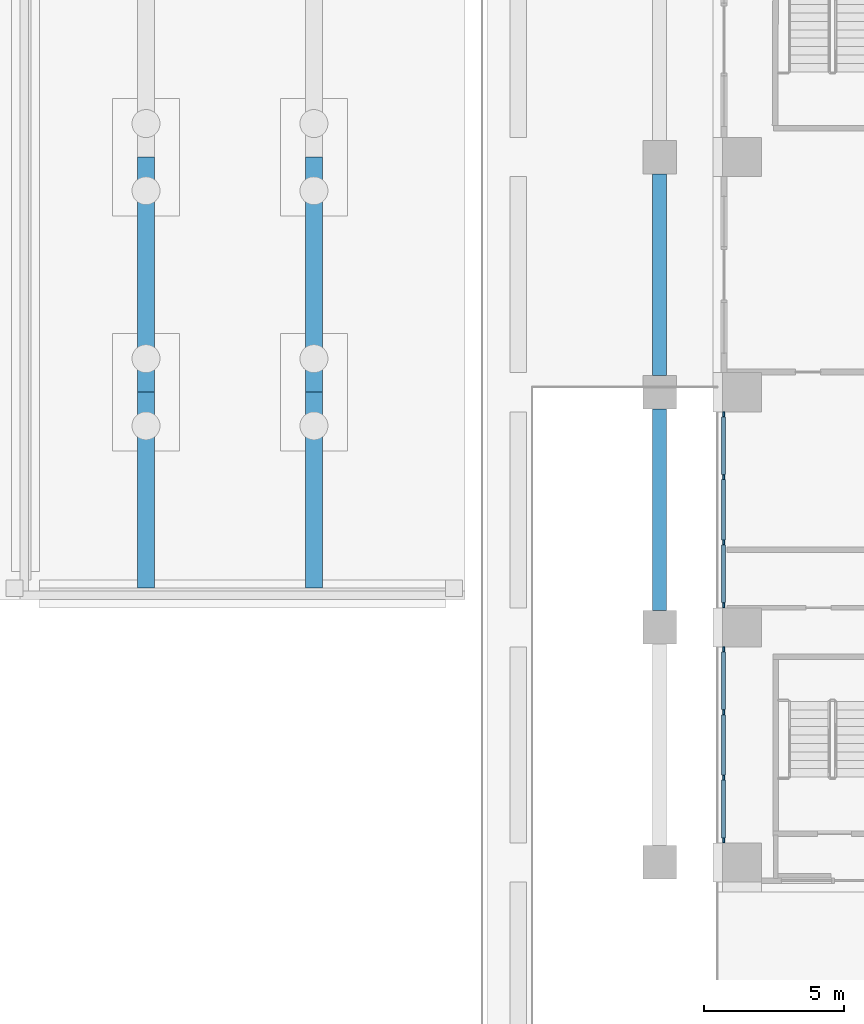
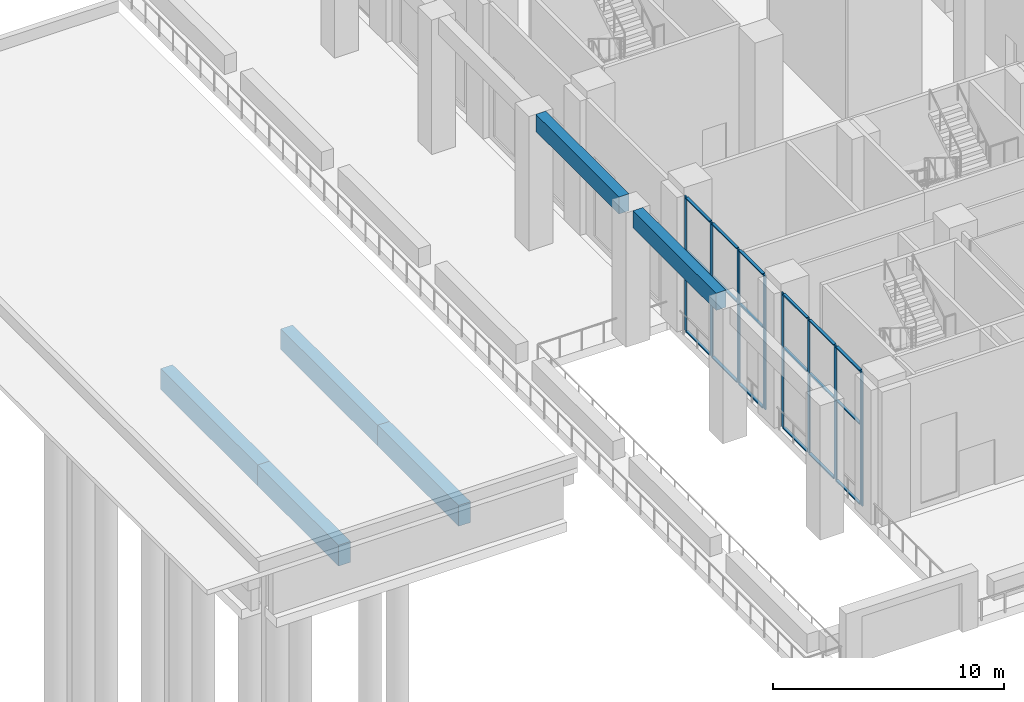
# One storey, part 4 of 53: 26 members, 6 beams, 2 elements without a shape of their own.
"""IFC4 building model written with IfcOpenShell, lengths in metres."""

import ifcopenshell
import ifcopenshell.guid

model = None  # the IFC model being written
_history = None  # IfcOwnerHistory: only IFC2X3 demands one
_inside = {}  # id of a spatial element -> (the spatial element, [elements in it])
_under = {}  # id of a project, library or spatial element -> (it, [spatial elements below it])
_declared = {}  # id of a project -> (the project, [libraries it declares])
_typed = {}  # id of a type object -> (the type object, [elements of that type])
_made_of = {}  # id of a material, layer set ... -> (it, [elements and type objects made of it])


def new_model(schema):
    """Start an empty IFC model of exactly this schema.

    Asked for "IFC4X3", IfcOpenShell would pick the latest addendum, in which some entities
    have other attributes; the version numbers below select the first issue.
    IFC2X3 requires an IfcOwnerHistory on every rooted entity: one is made here for all.
    """
    global model, _history
    if schema == "IFC4X3":
        model = ifcopenshell.file(schema_version=(4, 3, 0, 0))
    else:
        model = ifcopenshell.file(schema=schema)
    _inside.clear()
    _under.clear()
    _declared.clear()
    _typed.clear()
    _made_of.clear()
    _history = None
    if model.schema == "IFC2X3":
        org = make("IfcOrganization", Name="unknown")
        user = make(
            "IfcPersonAndOrganization",
            ThePerson=make("IfcPerson", FamilyName="unknown"),
            TheOrganization=org,
        )
        app = make(
            "IfcApplication",
            ApplicationDeveloper=org,
            Version="unknown",
            ApplicationFullName="unknown",
            ApplicationIdentifier="unknown",
        )
        _history = make(
            "IfcOwnerHistory",
            OwningUser=user,
            OwningApplication=app,
            ChangeAction="ADDED",
            CreationDate=0,
        )
    return model


def make(cls, **values):
    """One entity of the class cls with the attributes given. An attribute that is None is left unset."""
    return model.create_entity(
        cls, **{name: value for name, value in values.items() if value is not None}
    )


def rooted(cls, **values):
    """An entity with a GlobalId (a new one), such as an element, a storey or a relation."""
    return make(cls, GlobalId=ifcopenshell.guid.new(), OwnerHistory=_history, **values)


def si_unit(unit_type, name, prefix=None):
    """IfcSIUnit, for example si_unit("LENGTHUNIT", "METRE", prefix="MILLI")."""
    return make("IfcSIUnit", UnitType=unit_type, Prefix=prefix, Name=name)


def assignment(units):
    """IfcUnitAssignment: the units of a project."""
    return None if units is None else make("IfcUnitAssignment", Units=units)


def point(xyz):
    """IfcCartesianPoint."""
    return None if xyz is None else make("IfcCartesianPoint", Coordinates=xyz)


def direction(xyz):
    """IfcDirection."""
    return None if xyz is None else make("IfcDirection", DirectionRatios=xyz)


def frame(location, z_axis=None, x_axis=None):
    """IfcAxis2Placement3D, a coordinate frame: its origin and axes. An axis left out is left unset."""
    return make(
        "IfcAxis2Placement3D",
        Location=point(location),
        Axis=direction(z_axis),
        RefDirection=direction(x_axis),
    )


def frame_2d(location, x_axis=None):
    """IfcAxis2Placement2D, a coordinate frame in the plane: its origin and x axis."""
    return make(
        "IfcAxis2Placement2D", Location=point(location), RefDirection=direction(x_axis)
    )


def origin():
    """The frame at (0, 0, 0) with its axes left unset."""
    return frame((0.0, 0.0, 0.0))


def origin_2d():
    """The frame at (0, 0) in the plane with its x axis left unset."""
    return frame_2d((0.0, 0.0))


def place(relative_to, where):
    """IfcLocalPlacement: puts the frame where relative to a parent placement (None: the world)."""
    return make(
        "IfcLocalPlacement", PlacementRelTo=relative_to, RelativePlacement=where
    )


def context(
    kind, dimensions, precision=None, world=None, true_north=None, identifier=None
):
    """IfcGeometricRepresentationContext, for example the 3D "Model" context."""
    return make(
        "IfcGeometricRepresentationContext",
        ContextIdentifier=identifier,
        ContextType=kind,
        CoordinateSpaceDimension=dimensions,
        Precision=precision,
        WorldCoordinateSystem=world,
        TrueNorth=true_north,
    )


def subcontext(parent, identifier, kind, view, scale=None):
    """IfcGeometricRepresentationSubContext, for example "Body" below "Model"."""
    return make(
        "IfcGeometricRepresentationSubContext",
        ContextIdentifier=identifier,
        ContextType=kind,
        ParentContext=parent,
        TargetScale=scale,
        TargetView=view,
    )


def project(units=None, contexts=None):
    """IfcProject with its units and contexts."""
    return rooted(
        "IfcProject",
        Name="project",
        RepresentationContexts=contexts,
        UnitsInContext=assignment(units),
    )


def spatial(cls, under=None, at=None, **own):
    """A site, building, storey or space (cls), placed at a placement, below another one or the project."""
    s = rooted(cls, ObjectPlacement=at, **own)
    if under is not None:
        _under.setdefault(under.id(), (under, []))[1].append(s)
    return s


def profile(cls, at=None, kind="AREA", **sizes):
    """A parametric profile (cls). Its sizes go by their IFC names, for example OverallWidth=200.0."""
    return make(cls, ProfileType=kind, Position=at, **sizes)


def rectangle(**sizes):
    """IfcRectangleProfileDef."""
    return profile("IfcRectangleProfileDef", **sizes)


def extrude(swept, where, along, depth):
    """IfcExtrudedAreaSolid: the profile swept, set in the frame where, extruded along a direction by depth."""
    return make(
        "IfcExtrudedAreaSolid",
        SweptArea=swept,
        Position=where,
        ExtrudedDirection=direction(along),
        Depth=depth,
    )


def shape(context_of_items, identifier, shape_type, items):
    """IfcShapeRepresentation: the items that make up one representation, for example the "Body"."""
    return make(
        "IfcShapeRepresentation",
        ContextOfItems=context_of_items,
        RepresentationIdentifier=identifier,
        RepresentationType=shape_type,
        Items=items,
    )


def material(Name=None, Category=None):
    """IfcMaterial."""
    return make("IfcMaterial", Name=Name, Category=Category)


def material_profile(
    of_material, cross_section, Name=None, Category=None, Priority=None
):
    """IfcMaterialProfile: a cross section and its material."""
    return make(
        "IfcMaterialProfile",
        Name=Name,
        Material=of_material,
        Profile=cross_section,
        Priority=Priority,
        Category=Category,
    )


def profile_set(profiles, Name=None, composite=None):
    """IfcMaterialProfileSet."""
    return make(
        "IfcMaterialProfileSet",
        Name=Name,
        MaterialProfiles=profiles,
        CompositeProfile=composite,
    )


def made_of(thing, what):
    """Note that an element or type object is made of a material, layer set ...; save() writes the relation."""
    if what is not None:
        _made_of.setdefault(what.id(), (what, []))[1].append(thing)
    return thing


def type_object(cls, material=None, **own):
    """A type object (cls), such as IfcWallType, which elements share."""
    return made_of(rooted(cls, **own), material)


def element(
    cls,
    number,
    at=None,
    inside=None,
    cuts=None,
    type_object=None,
    material=None,
    context=None,
    identifier="Body",
    shape_type=None,
    held_by="IfcProductDefinitionShape",
    body=None,
    shapes=None,
    **own,
):
    """One element of the class cls, such as IfcWall. Its Tag is "e" and its number.

    at: its placement. inside: the storey or other place that contains it. cuts: it is an
    opening in that element (IfcRelVoidsElement). A single representation is given by context,
    identifier, shape_type and body (its items); several are given by shapes. held_by: the class
    of the entity that holds the representations. save() writes the other relations.
    """
    e = rooted(cls, Tag="e%d" % number, ObjectPlacement=at, **own)
    if body is not None:
        shapes = [shape(context, identifier, shape_type, body)]
    if shapes is not None:
        e.Representation = make(held_by, Representations=shapes)
    if inside is not None:
        _inside.setdefault(inside.id(), (inside, []))[1].append(e)
    if cuts is not None:
        rooted(
            "IfcRelVoidsElement", RelatingBuildingElement=cuts, RelatedOpeningElement=e
        )
    if type_object is not None:
        _typed.setdefault(type_object.id(), (type_object, []))[1].append(e)
    return made_of(e, material)


def aggregate(whole, parts):
    """IfcRelAggregates: a whole, such as a stair, and the parts it consists of."""
    return rooted("IfcRelAggregates", RelatingObject=whole, RelatedObjects=parts)


def save(model, path):
    """Write the relations noted so far, then the file.

    IfcRelAggregates (storeys below a building ...), IfcRelContainedInSpatialStructure (elements
    in a storey), IfcRelDefinesByType, IfcRelAssociatesMaterial and IfcRelDeclares: one each for
    every whole, place, type object, material and project.
    """
    for whole, parts in _under.values():
        aggregate(whole, parts)
    for where, things in _inside.values():
        rooted(
            "IfcRelContainedInSpatialStructure",
            RelatedElements=things,
            RelatingStructure=where,
        )
    for kind, things in _typed.values():
        rooted("IfcRelDefinesByType", RelatedObjects=things, RelatingType=kind)
    for what, things in _made_of.values():
        rooted("IfcRelAssociatesMaterial", RelatedObjects=things, RelatingMaterial=what)
    for by, libraries in _declared.values():
        rooted("IfcRelDeclares", RelatingContext=by, RelatedDefinitions=libraries)
    model.write(path)


model = new_model("IFC4")

# Units and contexts
model_context = context("Model", 3, precision=1e-05, world=origin(), true_north=direction((0.0, 1.0)))
body_context = subcontext(model_context, "Body", "Model", "MODEL_VIEW")
ifc_project = project(units=[si_unit("LENGTHUNIT", "METRE"), si_unit("AREAUNIT", "SQUARE_METRE"), si_unit("VOLUMEUNIT", "CUBIC_METRE"), si_unit("PLANEANGLEUNIT", "RADIAN"), si_unit("MASSUNIT", "GRAM", prefix="KILO")], contexts=[model_context])

# Site, building, storey
site_placement = place(None, origin())
site = spatial("IfcSite", under=ifc_project, at=site_placement, CompositionType="ELEMENT")
building_placement = place(site_placement, origin())
building = spatial("IfcBuilding", under=site, at=building_placement, Name="Vermilion Ogive Tower", CompositionType="ELEMENT")
storey_placement = place(building_placement, origin())
storey = spatial("IfcBuildingStorey", under=building, at=storey_placement, Name="L00", CompositionType="ELEMENT", Elevation=0.0)

# Curtain wall, members
ifc_material_1 = material(Name="Clear double glazing in aluminium frame", Category="aluminium")
curtain_wall_type = type_object("IfcCurtainWallType", Name="Curtain wall CW1", PredefinedType="NOTDEFINED", material=ifc_material_1)
curtain_wall_1_placement = place(storey_placement, origin())
curtain_wall_1 = element("IfcCurtainWall", 1, at=curtain_wall_1_placement, inside=storey, type_object=curtain_wall_type, Name="CW1 shopfront glazing W6", PredefinedType="NOTDEFINED")
ifc_material_2 = material(Name="Aluminium mullion", Category="aluminium")
ifc_material_profile_1 = material_profile(ifc_material_2, rectangle(XDim=0.06005859375, YDim=0.179931640625, at=origin_2d()), Name="AL 60x180")
ifc_profile_set_1 = profile_set([ifc_material_profile_1], Name="Aluminium mullion")
member_type_1 = type_object("IfcMemberType", Name="CW1 mullion 60x180", PredefinedType="MULLION", material=ifc_profile_set_1)
member_1_placement = place(storey_placement, frame((-34.260009765625, -13.389892578125, 0.0), z_axis=(0.0, 0.0, 1.0), x_axis=(1.0, 0.0, 0.0)))
member_1 = element("IfcMember", 2, at=member_1_placement, type_object=member_type_1, Name="CW1-W6 mullion 1", PredefinedType="MULLION", context=body_context, shape_type="SweptSolid", body=[
    extrude(rectangle(XDim=0.06005859375, YDim=0.179931640625, at=origin_2d()), origin(), (0.0, 0.0, 1.0), 7.10009765625),
])
member_2_placement = place(storey_placement, frame((-34.260009765625, -15.63330078125, 0.0), z_axis=(0.0, 0.0, 1.0), x_axis=(1.0, 0.0, 0.0)))
member_2 = element("IfcMember", 3, at=member_2_placement, type_object=member_type_1, Name="CW1-W6 mullion 2", PredefinedType="MULLION", context=body_context, shape_type="SweptSolid", body=[
    extrude(rectangle(XDim=0.06005859375, YDim=0.179931640625, at=origin_2d()), origin(), (0.0, 0.0, 1.0), 7.10009765625),
])
member_3_placement = place(storey_placement, frame((-34.260009765625, -17.966552734375, 0.0), z_axis=(0.0, 0.0, 1.0), x_axis=(1.0, 0.0, 0.0)))
member_3 = element("IfcMember", 4, at=member_3_placement, type_object=member_type_1, Name="CW1-W6 mullion 3", PredefinedType="MULLION", context=body_context, shape_type="SweptSolid", body=[
    extrude(rectangle(XDim=0.06005859375, YDim=0.179931640625, at=origin_2d()), origin(), (0.0, 0.0, 1.0), 7.10009765625),
])
member_4_placement = place(storey_placement, frame((-34.260009765625, -20.2099609375, 0.0), z_axis=(0.0, 0.0, 1.0), x_axis=(1.0, 0.0, 0.0)))
member_4 = element("IfcMember", 5, at=member_4_placement, type_object=member_type_1, Name="CW1-W6 mullion 4", PredefinedType="MULLION", context=body_context, shape_type="SweptSolid", body=[
    extrude(rectangle(XDim=0.06005859375, YDim=0.179931640625, at=origin_2d()), origin(), (0.0, 0.0, 1.0), 7.10009765625),
])

curtain_wall_2_placement = place(storey_placement, origin())
curtain_wall_2 = element("IfcCurtainWall", 6, at=curtain_wall_2_placement, inside=storey, type_object=curtain_wall_type, Name="CW1 shopfront glazing W7", PredefinedType="NOTDEFINED")
member_5_placement = place(storey_placement, frame((-34.260009765625, -21.7900390625, 0.0), z_axis=(0.0, 0.0, 1.0), x_axis=(1.0, 0.0, 0.0)))
member_5 = element("IfcMember", 7, at=member_5_placement, type_object=member_type_1, Name="CW1-W7 mullion 1", PredefinedType="MULLION", context=body_context, shape_type="SweptSolid", body=[
    extrude(rectangle(XDim=0.06005859375, YDim=0.179931640625, at=origin_2d()), origin(), (0.0, 0.0, 1.0), 7.10009765625),
])
member_6_placement = place(storey_placement, frame((-34.260009765625, -24.033447265625, 0.0), z_axis=(0.0, 0.0, 1.0), x_axis=(1.0, 0.0, 0.0)))
member_6 = element("IfcMember", 8, at=member_6_placement, type_object=member_type_1, Name="CW1-W7 mullion 2", PredefinedType="MULLION", context=body_context, shape_type="SweptSolid", body=[
    extrude(rectangle(XDim=0.06005859375, YDim=0.179931640625, at=origin_2d()), origin(), (0.0, 0.0, 1.0), 7.10009765625),
])
member_7_placement = place(storey_placement, frame((-34.260009765625, -26.36669921875, 0.0), z_axis=(0.0, 0.0, 1.0), x_axis=(1.0, 0.0, 0.0)))
member_7 = element("IfcMember", 9, at=member_7_placement, type_object=member_type_1, Name="CW1-W7 mullion 3", PredefinedType="MULLION", context=body_context, shape_type="SweptSolid", body=[
    extrude(rectangle(XDim=0.06005859375, YDim=0.179931640625, at=origin_2d()), origin(), (0.0, 0.0, 1.0), 7.10009765625),
])
member_8_placement = place(storey_placement, frame((-34.260009765625, -28.610107421875, 0.0), z_axis=(0.0, 0.0, 1.0), x_axis=(1.0, 0.0, 0.0)))
member_8 = element("IfcMember", 10, at=member_8_placement, type_object=member_type_1, Name="CW1-W7 mullion 4", PredefinedType="MULLION", context=body_context, shape_type="SweptSolid", body=[
    extrude(rectangle(XDim=0.06005859375, YDim=0.179931640625, at=origin_2d()), origin(), (0.0, 0.0, 1.0), 7.10009765625),
])

# Member
ifc_material_3 = material(Name="Aluminium transom", Category="aluminium")
ifc_material_profile_2 = material_profile(ifc_material_3, rectangle(XDim=0.139892578125, YDim=0.06005859375, at=origin_2d()), Name="AL 60x140")
ifc_profile_set_2 = profile_set([ifc_material_profile_2], Name="Aluminium transom")
member_type_2 = type_object("IfcMemberType", Name="CW1 transom 60x140", PredefinedType="USERDEFINED", material=ifc_profile_set_2)
member_9_placement = place(storey_placement, frame((-34.260009765625, -13.47998046875, 0.030029296875), z_axis=(0.0, -1.0, 0.0), x_axis=(1.0, 0.0, 0.0)))
member_9 = element("IfcMember", 11, at=member_9_placement, type_object=member_type_2, Name="CW1-W6 transom 1.1", ObjectType="TRANSOM", PredefinedType="USERDEFINED", context=body_context, shape_type="SweptSolid", body=[
    extrude(rectangle(XDim=0.139892578125, YDim=0.06005859375, at=origin_2d()), origin(), (0.0, 0.0, 1.0), 2.063232421875),
])

member_10_placement = place(storey_placement, frame((-34.260009765625, -13.47998046875, 4.260009765625), z_axis=(0.0, -1.0, 0.0), x_axis=(1.0, 0.0, 0.0)))
member_10 = element("IfcMember", 12, at=member_10_placement, type_object=member_type_2, Name="CW1-W6 transom 1.2", ObjectType="TRANSOM", PredefinedType="USERDEFINED", context=body_context, shape_type="SweptSolid", body=[
    extrude(rectangle(XDim=0.139892578125, YDim=0.06005859375, at=origin_2d()), origin(), (0.0, 0.0, 1.0), 2.063232421875),
])

member_11_placement = place(storey_placement, frame((-34.260009765625, -13.47998046875, 7.070068359375), z_axis=(0.0, -1.0, 0.0), x_axis=(1.0, 0.0, 0.0)))
member_11 = element("IfcMember", 13, at=member_11_placement, type_object=member_type_2, Name="CW1-W6 transom 1.3", ObjectType="TRANSOM", PredefinedType="USERDEFINED", context=body_context, shape_type="SweptSolid", body=[
    extrude(rectangle(XDim=0.139892578125, YDim=0.06005859375, at=origin_2d()), origin(), (0.0, 0.0, 1.0), 2.063232421875),
])

member_12_placement = place(storey_placement, frame((-34.260009765625, -15.723388671875, 0.030029296875), z_axis=(0.0, -1.0, 0.0), x_axis=(1.0, 0.0, 0.0)))
member_12 = element("IfcMember", 14, at=member_12_placement, type_object=member_type_2, Name="CW1-W6 transom 2.1", ObjectType="TRANSOM", PredefinedType="USERDEFINED", context=body_context, shape_type="SweptSolid", body=[
    extrude(rectangle(XDim=0.139892578125, YDim=0.06005859375, at=origin_2d()), origin(), (0.0, 0.0, 1.0), 2.1533203125),
])

member_13_placement = place(storey_placement, frame((-34.260009765625, -15.723388671875, 4.260009765625), z_axis=(0.0, -1.0, 0.0), x_axis=(1.0, 0.0, 0.0)))
member_13 = element("IfcMember", 15, at=member_13_placement, type_object=member_type_2, Name="CW1-W6 transom 2.2", ObjectType="TRANSOM", PredefinedType="USERDEFINED", context=body_context, shape_type="SweptSolid", body=[
    extrude(rectangle(XDim=0.139892578125, YDim=0.06005859375, at=origin_2d()), origin(), (0.0, 0.0, 1.0), 2.1533203125),
])

member_14_placement = place(storey_placement, frame((-34.260009765625, -15.723388671875, 7.070068359375), z_axis=(0.0, -1.0, 0.0), x_axis=(1.0, 0.0, 0.0)))
member_14 = element("IfcMember", 16, at=member_14_placement, type_object=member_type_2, Name="CW1-W6 transom 2.3", ObjectType="TRANSOM", PredefinedType="USERDEFINED", context=body_context, shape_type="SweptSolid", body=[
    extrude(rectangle(XDim=0.139892578125, YDim=0.06005859375, at=origin_2d()), origin(), (0.0, 0.0, 1.0), 2.1533203125),
])

member_15_placement = place(storey_placement, frame((-34.260009765625, -18.056640625, 0.030029296875), z_axis=(0.0, -1.0, 0.0), x_axis=(1.0, 0.0, 0.0)))
member_15 = element("IfcMember", 17, at=member_15_placement, type_object=member_type_2, Name="CW1-W6 transom 3.1", ObjectType="TRANSOM", PredefinedType="USERDEFINED", context=body_context, shape_type="SweptSolid", body=[
    extrude(rectangle(XDim=0.139892578125, YDim=0.06005859375, at=origin_2d()), origin(), (0.0, 0.0, 1.0), 2.0634765625),
])

member_16_placement = place(storey_placement, frame((-34.260009765625, -18.056640625, 4.260009765625), z_axis=(0.0, -1.0, 0.0), x_axis=(1.0, 0.0, 0.0)))
member_16 = element("IfcMember", 18, at=member_16_placement, type_object=member_type_2, Name="CW1-W6 transom 3.2", ObjectType="TRANSOM", PredefinedType="USERDEFINED", context=body_context, shape_type="SweptSolid", body=[
    extrude(rectangle(XDim=0.139892578125, YDim=0.06005859375, at=origin_2d()), origin(), (0.0, 0.0, 1.0), 2.0634765625),
])

member_17_placement = place(storey_placement, frame((-34.260009765625, -18.056640625, 7.070068359375), z_axis=(0.0, -1.0, 0.0), x_axis=(1.0, 0.0, 0.0)))
member_17 = element("IfcMember", 19, at=member_17_placement, type_object=member_type_2, Name="CW1-W6 transom 3.3", ObjectType="TRANSOM", PredefinedType="USERDEFINED", context=body_context, shape_type="SweptSolid", body=[
    extrude(rectangle(XDim=0.139892578125, YDim=0.06005859375, at=origin_2d()), origin(), (0.0, 0.0, 1.0), 2.0634765625),
])

aggregate(curtain_wall_1, [member_1, member_2, member_3, member_4, member_9, member_10, member_11, member_12, member_13, member_14, member_15, member_16, member_17])

member_18_placement = place(storey_placement, frame((-34.260009765625, -21.8798828125, 0.030029296875), z_axis=(0.0, -1.0, 0.0), x_axis=(1.0, 0.0, 0.0)))
member_18 = element("IfcMember", 20, at=member_18_placement, type_object=member_type_2, Name="CW1-W7 transom 1.1", ObjectType="TRANSOM", PredefinedType="USERDEFINED", context=body_context, shape_type="SweptSolid", body=[
    extrude(rectangle(XDim=0.139892578125, YDim=0.06005859375, at=origin_2d()), origin(), (0.0, 0.0, 1.0), 2.0634765625),
])

member_19_placement = place(storey_placement, frame((-34.260009765625, -21.8798828125, 4.260009765625), z_axis=(0.0, -1.0, 0.0), x_axis=(1.0, 0.0, 0.0)))
member_19 = element("IfcMember", 21, at=member_19_placement, type_object=member_type_2, Name="CW1-W7 transom 1.2", ObjectType="TRANSOM", PredefinedType="USERDEFINED", context=body_context, shape_type="SweptSolid", body=[
    extrude(rectangle(XDim=0.139892578125, YDim=0.06005859375, at=origin_2d()), origin(), (0.0, 0.0, 1.0), 2.0634765625),
])

member_20_placement = place(storey_placement, frame((-34.260009765625, -21.8798828125, 7.070068359375), z_axis=(0.0, -1.0, 0.0), x_axis=(1.0, 0.0, 0.0)))
member_20 = element("IfcMember", 22, at=member_20_placement, type_object=member_type_2, Name="CW1-W7 transom 1.3", ObjectType="TRANSOM", PredefinedType="USERDEFINED", context=body_context, shape_type="SweptSolid", body=[
    extrude(rectangle(XDim=0.139892578125, YDim=0.06005859375, at=origin_2d()), origin(), (0.0, 0.0, 1.0), 2.0634765625),
])

member_21_placement = place(storey_placement, frame((-34.260009765625, -24.123291015625, 0.030029296875), z_axis=(0.0, -1.0, 0.0), x_axis=(1.0, 0.0, 0.0)))
member_21 = element("IfcMember", 23, at=member_21_placement, type_object=member_type_2, Name="CW1-W7 transom 2.1", ObjectType="TRANSOM", PredefinedType="USERDEFINED", context=body_context, shape_type="SweptSolid", body=[
    extrude(rectangle(XDim=0.139892578125, YDim=0.06005859375, at=origin_2d()), origin(), (0.0, 0.0, 1.0), 2.1533203125),
])

member_22_placement = place(storey_placement, frame((-34.260009765625, -24.123291015625, 4.260009765625), z_axis=(0.0, -1.0, 0.0), x_axis=(1.0, 0.0, 0.0)))
member_22 = element("IfcMember", 24, at=member_22_placement, type_object=member_type_2, Name="CW1-W7 transom 2.2", ObjectType="TRANSOM", PredefinedType="USERDEFINED", context=body_context, shape_type="SweptSolid", body=[
    extrude(rectangle(XDim=0.139892578125, YDim=0.06005859375, at=origin_2d()), origin(), (0.0, 0.0, 1.0), 2.1533203125),
])

member_23_placement = place(storey_placement, frame((-34.260009765625, -24.123291015625, 7.070068359375), z_axis=(0.0, -1.0, 0.0), x_axis=(1.0, 0.0, 0.0)))
member_23 = element("IfcMember", 25, at=member_23_placement, type_object=member_type_2, Name="CW1-W7 transom 2.3", ObjectType="TRANSOM", PredefinedType="USERDEFINED", context=body_context, shape_type="SweptSolid", body=[
    extrude(rectangle(XDim=0.139892578125, YDim=0.06005859375, at=origin_2d()), origin(), (0.0, 0.0, 1.0), 2.1533203125),
])

member_24_placement = place(storey_placement, frame((-34.260009765625, -26.456787109375, 0.030029296875), z_axis=(0.0, -1.0, 0.0), x_axis=(1.0, 0.0, 0.0)))
member_24 = element("IfcMember", 26, at=member_24_placement, type_object=member_type_2, Name="CW1-W7 transom 3.1", ObjectType="TRANSOM", PredefinedType="USERDEFINED", context=body_context, shape_type="SweptSolid", body=[
    extrude(rectangle(XDim=0.139892578125, YDim=0.06005859375, at=origin_2d()), origin(), (0.0, 0.0, 1.0), 2.063232421875),
])

member_25_placement = place(storey_placement, frame((-34.260009765625, -26.456787109375, 4.260009765625), z_axis=(0.0, -1.0, 0.0), x_axis=(1.0, 0.0, 0.0)))
member_25 = element("IfcMember", 27, at=member_25_placement, type_object=member_type_2, Name="CW1-W7 transom 3.2", ObjectType="TRANSOM", PredefinedType="USERDEFINED", context=body_context, shape_type="SweptSolid", body=[
    extrude(rectangle(XDim=0.139892578125, YDim=0.06005859375, at=origin_2d()), origin(), (0.0, 0.0, 1.0), 2.063232421875),
])

member_26_placement = place(storey_placement, frame((-34.260009765625, -26.456787109375, 7.070068359375), z_axis=(0.0, -1.0, 0.0), x_axis=(1.0, 0.0, 0.0)))
member_26 = element("IfcMember", 28, at=member_26_placement, type_object=member_type_2, Name="CW1-W7 transom 3.3", ObjectType="TRANSOM", PredefinedType="USERDEFINED", context=body_context, shape_type="SweptSolid", body=[
    extrude(rectangle(XDim=0.139892578125, YDim=0.06005859375, at=origin_2d()), origin(), (0.0, 0.0, 1.0), 2.063232421875),
])

aggregate(curtain_wall_2, [member_5, member_6, member_7, member_8, member_18, member_19, member_20, member_21, member_22, member_23, member_24, member_25, member_26])

# Beams
ifc_material_4 = material(Name="Concrete B45", Category="concrete")
ifc_material_profile_3 = material_profile(ifc_material_4, rectangle(XDim=0.5, YDim=0.89990234375, at=origin_2d()), Name="RC 500x900")
ifc_profile_set_3 = profile_set([ifc_material_profile_3], Name="Concrete B45")
beam_type_1 = type_object("IfcBeamType", Name="Canopy fascia beam CF1 500x900", PredefinedType="BEAM", material=ifc_profile_set_3)
for number, where, z_axis, x_axis, name in (
    (29, (-36.550048828125, -20.39990234375, 6.650146484375), (0.0, 1.0, 0.0), (-1.0, 0.0, 0.0), "Canopy fascia beam 02"),
    (30, (-36.550048828125, -12.0, 6.650146484375), (0.0, 1.0, 0.0), (-1.0, 0.0, 0.0), "Canopy fascia beam 03"),
):
    element("IfcBeam", number, at=place(storey_placement, frame(where, z_axis=z_axis, x_axis=x_axis)), inside=storey, type_object=beam_type_1, Name=name, PredefinedType="BEAM", context=body_context, shape_type="SweptSolid", body=[
        extrude(rectangle(XDim=0.5, YDim=0.89990234375, at=origin_2d()), origin(), (0.0, 0.0, 1.0), 7.199951171875),
    ])
ifc_material_5 = material(Name="Concrete B45", Category="concrete")
ifc_material_profile_4 = material_profile(ifc_material_5, rectangle(XDim=0.60009765625, YDim=1.10009765625, at=origin_2d()), Name="RC 600x1100")
ifc_profile_set_4 = profile_set([ifc_material_profile_4], Name="Concrete B45")
beam_type_2 = type_object("IfcBeamType", Name="Quay wharf beam QB1 600x1100", PredefinedType="BEAM", material=ifc_profile_set_4)
beam_1_placement = place(storey_placement, frame((-54.89990234375, -19.60009765625, -0.800048828125), z_axis=(0.0, 1.0, 0.0), x_axis=(-1.0, 0.0, 0.0)))
element("IfcBeam", 31, at=beam_1_placement, inside=storey, type_object=beam_type_2, Name="Quay wharf beam SITE-DROP-L0 1", PredefinedType="BEAM", context=body_context, shape_type="SweptSolid", body=[
    extrude(rectangle(XDim=0.60009765625, YDim=1.10009765625, at=origin_2d()), origin(), (0.0, 0.0, 1.0), 7.0),
])
beam_2_placement = place(storey_placement, frame((-54.89990234375, -12.60009765625, -0.800048828125), z_axis=(0.0, 1.0, 0.0), x_axis=(-1.0, 0.0, 0.0)))
element("IfcBeam", 32, at=beam_2_placement, inside=storey, type_object=beam_type_2, Name="Quay wharf beam SITE-DROP-L0 2", PredefinedType="BEAM", context=body_context, shape_type="SweptSolid", body=[
    extrude(rectangle(XDim=0.60009765625, YDim=1.10009765625, at=origin_2d()), origin(), (0.0, 0.0, 1.0), 8.400146484375),
])
beam_3_placement = place(storey_placement, frame((-48.89990234375, -19.60009765625, -0.800048828125), z_axis=(0.0, 1.0, 0.0), x_axis=(-1.0, 0.0, 0.0)))
element("IfcBeam", 33, at=beam_3_placement, inside=storey, type_object=beam_type_2, Name="Quay wharf beam SITE-DROP-L1 1", PredefinedType="BEAM", context=body_context, shape_type="SweptSolid", body=[
    extrude(rectangle(XDim=0.60009765625, YDim=1.10009765625, at=origin_2d()), origin(), (0.0, 0.0, 1.0), 7.0),
])
beam_4_placement = place(storey_placement, frame((-48.89990234375, -12.60009765625, -0.800048828125), z_axis=(0.0, 1.0, 0.0), x_axis=(-1.0, 0.0, 0.0)))
element("IfcBeam", 34, at=beam_4_placement, inside=storey, type_object=beam_type_2, Name="Quay wharf beam SITE-DROP-L1 2", PredefinedType="BEAM", context=body_context, shape_type="SweptSolid", body=[
    extrude(rectangle(XDim=0.60009765625, YDim=1.10009765625, at=origin_2d()), origin(), (0.0, 0.0, 1.0), 8.400146484375),
])

save(model, "model.ifc")
